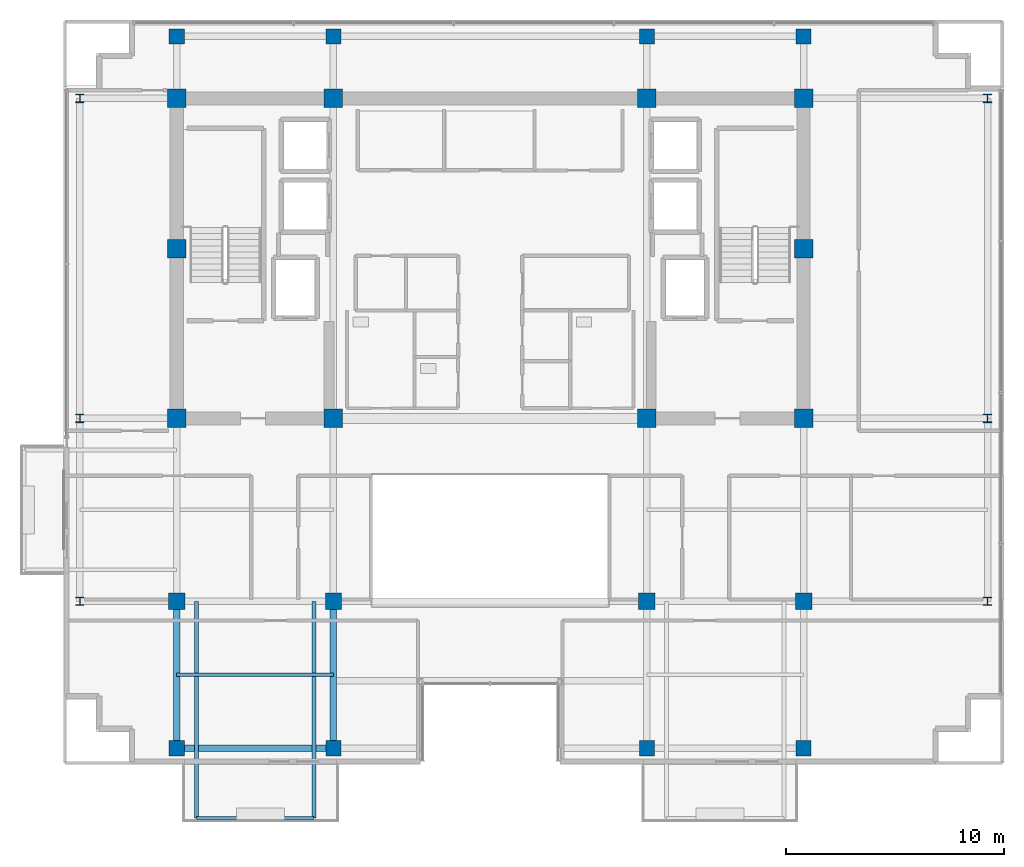
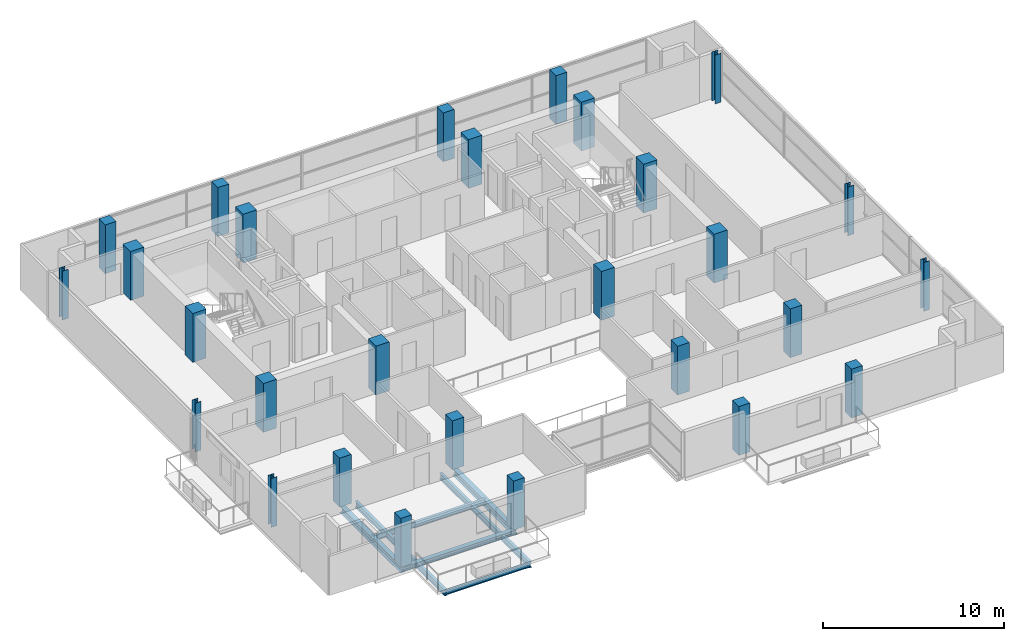
# One storey, part 1 of 21: 28 columns, 7 beams.
"""IFC4 building model written with IfcOpenShell, lengths in metres."""

from ifc_helpers import new_model, si_unit, direction, frame, origin, origin_2d, place, context, subcontext, project, spatial, rectangle, i_section, extrude, material, material_profile, profile_set, type_object, element, save


model = new_model("IFC4")

# Units and contexts
model_context = context("Model", 3, precision=1e-05, world=origin(), true_north=direction((0.0, 1.0)))
body_context = subcontext(model_context, "Body", "Model", "MODEL_VIEW")
ifc_project = project(units=[si_unit("LENGTHUNIT", "METRE"), si_unit("AREAUNIT", "SQUARE_METRE"), si_unit("VOLUMEUNIT", "CUBIC_METRE"), si_unit("PLANEANGLEUNIT", "RADIAN"), si_unit("MASSUNIT", "GRAM", prefix="KILO")], contexts=[model_context])

# Site, building, storey
site_placement = place(None, origin())
site = spatial("IfcSite", under=ifc_project, at=site_placement, CompositionType="ELEMENT")
building_placement = place(site_placement, origin())
building = spatial("IfcBuilding", under=site, at=building_placement, Name="Zarnakvel Exchange Tower", CompositionType="ELEMENT")
storey_placement = place(building_placement, frame((0.0, 0.0, 248.5)))
storey = spatial("IfcBuildingStorey", under=building, at=storey_placement, Name="L70", CompositionType="ELEMENT", Elevation=248.5)

# Columns
ifc_material_1 = material(Name="Concrete C50/60", Category="concrete")
ifc_material_profile_1 = material_profile(ifc_material_1, rectangle(XDim=0.85009765625, YDim=0.85009765625, at=origin_2d()))
ifc_profile_set_1 = profile_set([ifc_material_profile_1], Name="Concrete C50/60")
column_type_1 = type_object("IfcColumnType", Name="CC-03", PredefinedType="COLUMN", material=ifc_profile_set_1)
for number, where, z_axis, x_axis, name in (
    (1, (-14.39990234375, -1.199951171875, 0.0), (0.0, 0.0, 1.0), (1.0, 0.0, 0.0), "L70 Column C-4D (CC-03)"),
    (2, (-7.199951171875, -1.199951171875, 0.0), (0.0, 0.0, 1.0), (1.0, 0.0, 0.0), "L70 Column C-5D (CC-03)"),
    (3, (7.199951171875, -1.199951171875, 0.0), (0.0, 0.0, 1.0), (1.0, 0.0, 0.0), "L70 Column C-8D (CC-03)"),
    (4, (14.39990234375, -1.199951171875, 0.0), (0.0, 0.0, 1.0), (1.0, 0.0, 0.0), "L70 Column C-9D (CC-03)"),
    (5, (-14.39990234375, 6.60009765625, 0.0), (0.0, 0.0, 1.0), (1.0, 0.0, 0.0), "L70 Column C-4E (CC-03)"),
    (6, (14.39990234375, 6.60009765625, 0.0), (0.0, 0.0, 1.0), (1.0, 0.0, 0.0), "L70 Column C-9E (CC-03)"),
    (7, (-14.39990234375, 13.5, 0.0), (0.0, 0.0, 1.0), (1.0, 0.0, 0.0), "L70 Column C-4F (CC-03)"),
    (8, (-7.199951171875, 13.5, 0.0), (0.0, 0.0, 1.0), (1.0, 0.0, 0.0), "L70 Column C-5F (CC-03)"),
    (9, (7.199951171875, 13.5, 0.0), (0.0, 0.0, 1.0), (1.0, 0.0, 0.0), "L70 Column C-8F (CC-03)"),
    (10, (14.39990234375, 13.5, 0.0), (0.0, 0.0, 1.0), (1.0, 0.0, 0.0), "L70 Column C-9F (CC-03)"),
):
    element("IfcColumn", number, at=place(storey_placement, frame(where, z_axis=z_axis, x_axis=x_axis)), inside=storey, type_object=column_type_1, Name=name, PredefinedType="COLUMN", context=body_context, shape_type="SweptSolid", body=[
        extrude(rectangle(XDim=0.85009765625, YDim=0.85009765625, at=origin_2d()), origin(), (0.0, 0.0, 1.0), 3.300048828125),
    ])
ifc_material_2 = material(Name="Steel S355", Category="steel")
ifc_material_profile_2 = material_profile(ifc_material_2, i_section(OverallWidth=0.374755859375, OverallDepth=0.37451171875, WebThickness=0.0166015625, FlangeThickness=0.027099609375, FilletRadius=0.01513671875, at=origin_2d()))
ifc_profile_set_2 = profile_set([ifc_material_profile_2], Name="Steel S355")
column_type_2 = type_object("IfcColumnType", Name="SC-05", PredefinedType="COLUMN", material=ifc_profile_set_2)
for number, where, z_axis, x_axis, name in (
    (11, (-18.85009765625, -9.60009765625, 0.0), (0.0, 0.0, 1.0), (1.0, 0.0, 0.0), "L70 Column TW-C (SC-05)"),
    (12, (22.85009765625, -9.60009765625, 0.0), (0.0, 0.0, 1.0), (1.0, 0.0, 0.0), "L70 Column TE-C (SC-05)"),
    (13, (-18.85009765625, -1.199951171875, 0.0), (0.0, 0.0, 1.0), (1.0, 0.0, 0.0), "L70 Column TW-D (SC-05)"),
    (14, (22.85009765625, -1.199951171875, 0.0), (0.0, 0.0, 1.0), (1.0, 0.0, 0.0), "L70 Column TE-D (SC-05)"),
    (15, (-18.85009765625, 13.5, 0.0), (0.0, 0.0, 1.0), (1.0, 0.0, 0.0), "L70 Column TW-F (SC-05)"),
    (16, (22.85009765625, 13.5, 0.0), (0.0, 0.0, 1.0), (1.0, 0.0, 0.0), "L70 Column TE-F (SC-05)"),
):
    element("IfcColumn", number, at=place(storey_placement, frame(where, z_axis=z_axis, x_axis=x_axis)), inside=storey, type_object=column_type_2, Name=name, PredefinedType="COLUMN", context=body_context, shape_type="SweptSolid", body=[
        extrude(i_section(OverallWidth=0.374755859375, OverallDepth=0.37451171875, WebThickness=0.0166015625, FlangeThickness=0.027099609375, FilletRadius=0.01513671875, at=origin_2d()), origin(), (0.0, 0.0, 1.0), 3.300048828125),
    ])
ifc_material_profile_3 = material_profile(ifc_material_1, rectangle(XDim=0.75, YDim=0.75, at=origin_2d()))
ifc_profile_set_3 = profile_set([ifc_material_profile_3], Name="Concrete C50/60")
column_type_3 = type_object("IfcColumnType", Name="TC-04", PredefinedType="COLUMN", material=ifc_profile_set_3)
for number, where, z_axis, x_axis, name in (
    (17, (-14.39990234375, -9.60009765625, 0.0), (0.0, 0.0, 1.0), (1.0, 0.0, 0.0), "L70 Column T-4C (TC-04)"),
    (18, (-7.199951171875, -9.60009765625, 0.0), (0.0, 0.0, 1.0), (1.0, 0.0, 0.0), "L70 Column T-5C (TC-04)"),
    (19, (7.199951171875, -9.60009765625, 0.0), (0.0, 0.0, 1.0), (1.0, 0.0, 0.0), "L70 Column T-8C (TC-04)"),
    (20, (14.39990234375, -9.60009765625, 0.0), (0.0, 0.0, 1.0), (1.0, 0.0, 0.0), "L70 Column T-9C (TC-04)"),
):
    element("IfcColumn", number, at=place(storey_placement, frame(where, z_axis=z_axis, x_axis=x_axis)), inside=storey, type_object=column_type_3, Name=name, PredefinedType="COLUMN", context=body_context, shape_type="SweptSolid", body=[
        extrude(rectangle(XDim=0.75, YDim=0.75, at=origin_2d()), origin(), (0.0, 0.0, 1.0), 3.300048828125),
    ])
ifc_material_profile_4 = material_profile(ifc_material_1, rectangle(XDim=0.699951171875, YDim=0.699951171875, at=origin_2d()))
ifc_profile_set_4 = profile_set([ifc_material_profile_4], Name="Concrete C50/60")
column_type_4 = type_object("IfcColumnType", Name="TC-05", PredefinedType="COLUMN", material=ifc_profile_set_4)
for number, where, z_axis, x_axis, name in (
    (21, (-14.39990234375, -16.35009765625, 0.0), (0.0, 0.0, 1.0), (1.0, 0.0, 0.0), "L70 Column TS-4 (TC-05)"),
    (22, (-14.39990234375, 16.35009765625, 0.0), (0.0, 0.0, 1.0), (1.0, 0.0, 0.0), "L70 Column TN-4 (TC-05)"),
    (23, (-7.199951171875, -16.35009765625, 0.0), (0.0, 0.0, 1.0), (1.0, 0.0, 0.0), "L70 Column TS-5 (TC-05)"),
    (24, (-7.199951171875, 16.35009765625, 0.0), (0.0, 0.0, 1.0), (1.0, 0.0, 0.0), "L70 Column TN-5 (TC-05)"),
    (25, (7.199951171875, -16.35009765625, 0.0), (0.0, 0.0, 1.0), (1.0, 0.0, 0.0), "L70 Column TS-8 (TC-05)"),
    (26, (7.199951171875, 16.35009765625, 0.0), (0.0, 0.0, 1.0), (1.0, 0.0, 0.0), "L70 Column TN-8 (TC-05)"),
    (27, (14.39990234375, -16.35009765625, 0.0), (0.0, 0.0, 1.0), (1.0, 0.0, 0.0), "L70 Column TS-9 (TC-05)"),
    (28, (14.39990234375, 16.35009765625, 0.0), (0.0, 0.0, 1.0), (1.0, 0.0, 0.0), "L70 Column TN-9 (TC-05)"),
):
    element("IfcColumn", number, at=place(storey_placement, frame(where, z_axis=z_axis, x_axis=x_axis)), inside=storey, type_object=column_type_4, Name=name, PredefinedType="COLUMN", context=body_context, shape_type="SweptSolid", body=[
        extrude(rectangle(XDim=0.699951171875, YDim=0.699951171875, at=origin_2d()), origin(), (0.0, 0.0, 1.0), 3.300048828125),
    ])

# Beams
ifc_material_profile_5 = material_profile(ifc_material_2, i_section(OverallWidth=0.179931640625, OverallDepth=0.39990234375, WebThickness=0.008544921875, FlangeThickness=0.013427734375, FilletRadius=0.02099609375, at=origin_2d()))
ifc_profile_set_5 = profile_set([ifc_material_profile_5], Name="Steel S355")
beam_type_1 = type_object("IfcBeamType", Name="B-06", PredefinedType="JOIST", material=ifc_profile_set_5)
for number, where, z_axis, x_axis, name in (
    (29, (-13.5, -9.60009765625, -0.425048828125), (0.0, -1.0, 0.0), (1.0, 0.0, 0.0), "L70 Continuous Back-Spanned Balcony Beam W"),
    (30, (-8.10009765625, -9.60009765625, -0.425048828125), (0.0, -1.0, 0.0), (1.0, 0.0, 0.0), "L70 Continuous Back-Spanned Balcony Beam E"),
):
    element("IfcBeam", number, at=place(storey_placement, frame(where, z_axis=z_axis, x_axis=x_axis)), inside=storey, type_object=beam_type_1, Name=name, PredefinedType="JOIST", context=body_context, shape_type="SweptSolid", body=[
        extrude(i_section(OverallWidth=0.179931640625, OverallDepth=0.39990234375, WebThickness=0.008544921875, FlangeThickness=0.013427734375, FilletRadius=0.02099609375, at=origin_2d()), origin(), (0.0, 0.0, 1.0), 9.949951171875),
    ])
ifc_material_profile_6 = material_profile(ifc_material_2, i_section(OverallWidth=0.169921875, OverallDepth=0.360107421875, WebThickness=0.008056640625, FlangeThickness=0.0126953125, FilletRadius=0.01806640625, at=origin_2d()))
ifc_profile_set_6 = profile_set([ifc_material_profile_6], Name="Steel S355")
beam_type_2 = type_object("IfcBeamType", Name="B-07", PredefinedType="JOIST", material=ifc_profile_set_6)
beam_1_placement = place(storey_placement, frame((-14.39990234375, -12.97509765625, -0.405029296875), z_axis=(1.0, 0.0, 0.0), x_axis=(0.0, 1.0, 0.0)))
element("IfcBeam", 31, at=beam_1_placement, inside=storey, type_object=beam_type_2, Name="L70 Composite Floor Secondary Joist", PredefinedType="JOIST", context=body_context, shape_type="SweptSolid", body=[
    extrude(i_section(OverallWidth=0.169921875, OverallDepth=0.360107421875, WebThickness=0.008056640625, FlangeThickness=0.0126953125, FilletRadius=0.01806640625, at=origin_2d()), origin(), (0.0, 0.0, 1.0), 7.199951171875),
])
ifc_material_profile_7 = material_profile(ifc_material_2, i_section(OverallWidth=0.14990234375, OverallDepth=0.300048828125, WebThickness=0.007080078125, FlangeThickness=0.0107421875, FilletRadius=0.014892578125, at=origin_2d()))
ifc_profile_set_7 = profile_set([ifc_material_profile_7], Name="Steel S355")
beam_type_3 = type_object("IfcBeamType", Name="B-08", PredefinedType="JOIST", material=ifc_profile_set_7)
beam_2_placement = place(storey_placement, frame((-13.5, -19.550048828125, -0.375), z_axis=(1.0, 0.0, 0.0), x_axis=(0.0, 1.0, 0.0)))
element("IfcBeam", 32, at=beam_2_placement, inside=storey, type_object=beam_type_3, Name="L70 Balcony Edge Beam", PredefinedType="JOIST", context=body_context, shape_type="SweptSolid", body=[
    extrude(i_section(OverallWidth=0.14990234375, OverallDepth=0.300048828125, WebThickness=0.007080078125, FlangeThickness=0.0107421875, FilletRadius=0.014892578125, at=origin_2d()), origin(), (0.0, 0.0, 1.0), 5.39990234375),
])
ifc_material_profile_8 = material_profile(ifc_material_2, i_section(OverallWidth=0.300048828125, OverallDepth=0.449951171875, WebThickness=0.013916015625, FlangeThickness=0.02587890625, FilletRadius=0.027099609375, at=origin_2d()))
ifc_profile_set_8 = profile_set([ifc_material_profile_8], Name="Steel S355")
beam_type_4 = type_object("IfcBeamType", Name="G-07", PredefinedType="BEAM", material=ifc_profile_set_8)
for number, where, z_axis, x_axis, name in (
    (33, (-14.39990234375, -16.35009765625, -0.449951171875), (0.0, 1.0, 0.0), (-1.0, 0.0, 0.0), "L70 Tower N-S Frame Beam"),
    (34, (-7.199951171875, -16.35009765625, -0.449951171875), (0.0, 1.0, 0.0), (-1.0, 0.0, 0.0), "L70 Tower N-S Frame Beam"),
):
    element("IfcBeam", number, at=place(storey_placement, frame(where, z_axis=z_axis, x_axis=x_axis)), inside=storey, type_object=beam_type_4, Name=name, PredefinedType="BEAM", context=body_context, shape_type="SweptSolid", body=[
        extrude(i_section(OverallWidth=0.300048828125, OverallDepth=0.449951171875, WebThickness=0.013916015625, FlangeThickness=0.02587890625, FilletRadius=0.027099609375, at=origin_2d()), origin(), (0.0, 0.0, 1.0), 6.75),
    ])
ifc_material_profile_9 = material_profile(ifc_material_2, i_section(OverallWidth=0.300048828125, OverallDepth=0.300048828125, WebThickness=0.010986328125, FlangeThickness=0.01904296875, FilletRadius=0.027099609375, at=origin_2d()))
ifc_profile_set_9 = profile_set([ifc_material_profile_9], Name="Steel S355")
beam_type_5 = type_object("IfcBeamType", Name="SP-03", PredefinedType="SPANDREL", material=ifc_profile_set_9)
beam_3_placement = place(storey_placement, frame((-14.39990234375, -16.35009765625, -0.375), z_axis=(1.0, 0.0, 0.0), x_axis=(0.0, 1.0, 0.0)))
element("IfcBeam", 35, at=beam_3_placement, inside=storey, type_object=beam_type_5, Name="L70 Tower E-W Frame Beam", PredefinedType="SPANDREL", context=body_context, shape_type="SweptSolid", body=[
    extrude(i_section(OverallWidth=0.300048828125, OverallDepth=0.300048828125, WebThickness=0.010986328125, FlangeThickness=0.01904296875, FilletRadius=0.027099609375, at=origin_2d()), origin(), (0.0, 0.0, 1.0), 7.199951171875),
])

save(model, "model.ifc")
